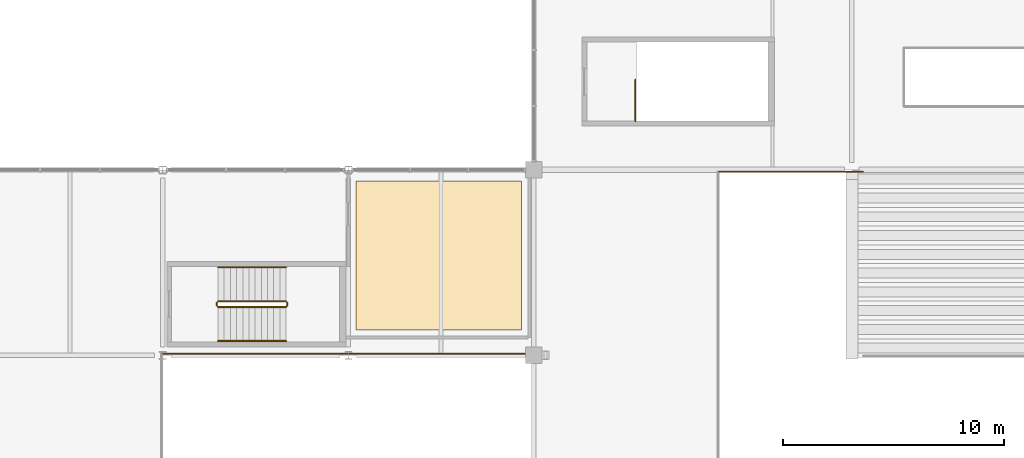
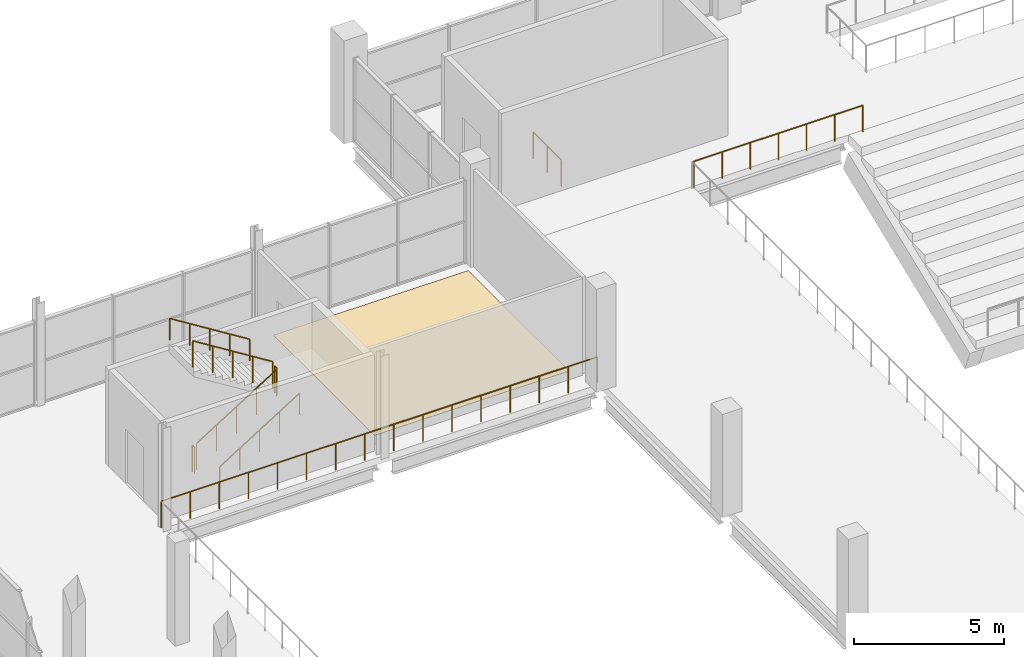
# One storey, part 153 of 161: 9 railings, 1 covering.
"""IFC4 building model written with IfcOpenShell, lengths in metres."""

from ifc_helpers import new_model, si_unit, direction, frame, origin, origin_2d, place, context, subcontext, project, spatial, polyline, circle, outline, extrude, material, layer, layer_set, type_object, element, save


model = new_model("IFC4")

# Units and contexts
model_context = context("Model", 3, precision=1e-05, world=origin(), true_north=direction((0.0, 1.0)))
body_context = subcontext(model_context, "Body", "Model", "MODEL_VIEW")
ifc_project = project(units=[si_unit("LENGTHUNIT", "METRE"), si_unit("AREAUNIT", "SQUARE_METRE"), si_unit("VOLUMEUNIT", "CUBIC_METRE"), si_unit("PLANEANGLEUNIT", "RADIAN"), si_unit("MASSUNIT", "GRAM", prefix="KILO"), si_unit("THERMODYNAMICTEMPERATUREUNIT", "KELVIN")], contexts=[model_context])

# Site, building, storey
site_placement = place(None, origin())
site = spatial("IfcSite", under=ifc_project, at=site_placement, CompositionType="ELEMENT")
building_placement = place(site_placement, origin())
building = spatial("IfcBuilding", under=site, at=building_placement, Name="Nduvali Passage Aquatics Centre", CompositionType="ELEMENT")
storey_placement = place(building_placement, frame((0.0, 0.0, 4.800048828125)))
storey = spatial("IfcBuildingStorey", under=building, at=storey_placement, Name="L01", CompositionType="ELEMENT", Elevation=4.800048828125)

# Covering
ifc_material_1 = material(Name="Resilient sports rubber flooring")
ifc_layer = layer(ifc_material_1, 0.02001953125, Name="Resilient sports rubber flooring")
ifc_layer_set = layer_set([ifc_layer], Name="Resilient sports rubber flooring")
covering_type = type_object("IfcCoveringType", Name="INT-COV-SPORT", PredefinedType="FLOORING", material=ifc_layer_set)
covering_placement = place(storey_placement, origin())
element("IfcCovering", 1, at=covering_placement, inside=storey, type_object=covering_type, Name="L01 Diving Dryland Conditioning Mezzanine Floor Finish", PredefinedType="FLOORING", context=body_context, shape_type="SweptSolid", body=[
    extrude(outline(polyline([(17.14990234375, 76.75), (24.64990234375, 76.75), (24.64990234375, 83.489990234375), (17.14990234375, 83.489990234375), (17.14990234375, 76.75)])), origin(), (0.0, 0.0, 1.0), 0.02001953125),
])

# Railings
ifc_material_2 = material(Name="Stainless steel balustrade", Category="steel")
railing_type_1 = type_object("IfcRailingType", Name="INT-RLG-GRD110", PredefinedType="GUARDRAIL", material=ifc_material_2)
railing_1_placement = place(storey_placement, frame((29.800048828125, 86.199951171875, 0.0)))
element("IfcRailing", 2, at=railing_1_placement, inside=storey, type_object=railing_type_1, Name="L01 ST10 top well guard 1", PredefinedType="GUARDRAIL", context=body_context, shape_type="SweptSolid", body=[
    extrude(circle(Radius=0.02392578125, at=origin_2d()), frame((0.0, 0.0, 1.076171875), z_axis=(0.0, 1.0, 0.0), x_axis=(-1.0, 0.0, 0.0)), (0.0, 0.0, 1.0), 1.8701171875),
    extrude(circle(Radius=0.02099609375, at=origin_2d()), origin(), (0.0, 0.0, 1.0), 1.052001953125),
    extrude(circle(Radius=0.02099609375, at=origin_2d()), frame((0.0, 0.93505859375, 0.0)), (0.0, 0.0, 1.0), 1.052001953125),
    extrude(circle(Radius=0.02099609375, at=origin_2d()), frame((0.0, 1.8701171875, 0.0)), (0.0, 0.0, 1.0), 1.052001953125),
])
railing_2_placement = place(storey_placement, frame((10.89990234375, 77.7900390625, 0.175048828125)))
element("IfcRailing", 3, at=railing_2_placement, inside=storey, type_object=railing_type_1, Name="L01 ST12 stair guard 1", PredefinedType="GUARDRAIL", context=body_context, shape_type="SweptSolid", body=[
    extrude(circle(Radius=0.02392578125, at=origin_2d()), frame((0.0, 0.0, 1.076171875), z_axis=(0.848028513186, 0.0, 0.529950602248), x_axis=(0.0, 1.0, 0.0)), (0.0, 0.0, 1.0), 3.632080078125),
    extrude(circle(Radius=0.02099609375, at=origin_2d()), origin(), (0.0, 0.0, 1.0), 1.052001953125),
    extrude(circle(Radius=0.02099609375, at=origin_2d()), frame((0.77001953125, 0.0, 0.481201171875)), (0.0, 0.0, 1.0), 1.052001953125),
    extrude(circle(Radius=0.02099609375, at=origin_2d()), frame((1.5400390625, 0.0, 0.96240234375)), (0.0, 0.0, 1.0), 1.052001953125),
    extrude(circle(Radius=0.02099609375, at=origin_2d()), frame((2.31005859375, 0.0, 1.443603515625)), (0.0, 0.0, 1.0), 1.052001953125),
    extrude(circle(Radius=0.02099609375, at=origin_2d()), frame((3.080078125, 0.0, 1.9248046875)), (0.0, 0.0, 1.0), 1.052001953125),
])
railing_3_placement = place(storey_placement, frame((14.030029296875, 77.840087890625, 2.099853515625)))
element("IfcRailing", 4, at=railing_3_placement, inside=storey, type_object=railing_type_1, Name="L01 ST12 stair guard 2", PredefinedType="GUARDRAIL", context=body_context, shape_type="SweptSolid", body=[
    extrude(circle(Radius=0.02392578125, at=origin_2d()), frame((0.0, 0.0, 1.076171875), z_axis=(0.0, 1.0, 0.0), x_axis=(-1.0, 0.0, 0.0)), (0.0, 0.0, 1.0), 0.14990234375),
    extrude(circle(Radius=0.02099609375, at=origin_2d()), origin(), (0.0, 0.0, 1.0), 1.052001953125),
    extrude(circle(Radius=0.02099609375, at=origin_2d()), frame((0.0, 0.14990234375, 0.0)), (0.0, 0.0, 1.0), 1.052001953125),
])
railing_4_placement = place(storey_placement, frame((13.97998046875, 78.0400390625, 2.27490234375)))
element("IfcRailing", 5, at=railing_4_placement, inside=storey, type_object=railing_type_1, Name="L01 ST12 stair guard 3", PredefinedType="GUARDRAIL", context=body_context, shape_type="SweptSolid", body=[
    extrude(circle(Radius=0.02392578125, at=origin_2d()), frame((0.0, 0.0, 1.076171875), z_axis=(-0.847998304005, 0.0, 0.529998940003), x_axis=(0.0, -1.0, 0.0)), (0.0, 0.0, 1.0), 3.632080078125),
    extrude(circle(Radius=0.02099609375, at=origin_2d()), origin(), (0.0, 0.0, 1.0), 1.052001953125),
    extrude(circle(Radius=0.02099609375, at=origin_2d()), frame((-0.77001953125, 0.0, 0.481201171875)), (0.0, 0.0, 1.0), 1.052001953125),
    extrude(circle(Radius=0.02099609375, at=origin_2d()), frame((-1.5400390625, 0.0, 0.96240234375)), (0.0, 0.0, 1.0), 1.052001953125),
    extrude(circle(Radius=0.02099609375, at=origin_2d()), frame((-2.31005859375, 0.0, 1.44384765625)), (0.0, 0.0, 1.0), 1.052001953125),
    extrude(circle(Radius=0.02099609375, at=origin_2d()), frame((-3.080078125, 0.0, 1.925048828125)), (0.0, 0.0, 1.0), 1.052001953125),
])
railing_5_placement = place(storey_placement, frame((10.85009765625, 77.840087890625, 0.0)))
element("IfcRailing", 6, at=railing_5_placement, inside=storey, type_object=railing_type_1, Name="L01 ST12 stair guard 4", PredefinedType="GUARDRAIL", context=body_context, shape_type="SweptSolid", body=[
    extrude(circle(Radius=0.02392578125, at=origin_2d()), frame((0.0, 0.0, 1.076171875), z_axis=(0.0, 1.0, 0.0), x_axis=(-1.0, 0.0, 0.0)), (0.0, 0.0, 1.0), 0.14990234375),
    extrude(circle(Radius=0.02099609375, at=origin_2d()), origin(), (0.0, 0.0, 1.0), 1.052001953125),
    extrude(circle(Radius=0.02099609375, at=origin_2d()), frame((0.0, 0.14990234375, 0.0)), (0.0, 0.0, 1.0), 1.052001953125),
])
railing_6_placement = place(storey_placement, frame((33.60009765625, 83.919921875, 0.0)))
element("IfcRailing", 7, at=railing_6_placement, inside=storey, type_object=railing_type_1, Name="L01 North Concourse West Void Guard", PredefinedType="GUARDRAIL", context=body_context, shape_type="SweptSolid", body=[
    extrude(circle(Radius=0.02392578125, at=origin_2d()), frame((0.0, 0.0, 1.076171875), z_axis=(1.0, 0.0, 0.0), x_axis=(0.0, 1.0, 0.0)), (0.0, 0.0, 1.0), 6.5),
    extrude(circle(Radius=0.02099609375, at=origin_2d()), origin(), (0.0, 0.0, 1.0), 1.052001953125),
    extrude(circle(Radius=0.02099609375, at=origin_2d()), frame((1.083251953125, 0.0, 0.0)), (0.0, 0.0, 1.0), 1.052001953125),
    extrude(circle(Radius=0.02099609375, at=origin_2d()), frame((2.166748046875, 0.0, 0.0)), (0.0, 0.0, 1.0), 1.052001953125),
    extrude(circle(Radius=0.02099609375, at=origin_2d()), frame((3.25, 0.0, 0.0)), (0.0, 0.0, 1.0), 1.052001953125),
    extrude(circle(Radius=0.02099609375, at=origin_2d()), frame((4.333251953125, 0.0, 0.0)), (0.0, 0.0, 1.0), 1.052001953125),
    extrude(circle(Radius=0.02099609375, at=origin_2d()), frame((5.416748046875, 0.0, 0.0)), (0.0, 0.0, 1.0), 1.052001953125),
    extrude(circle(Radius=0.02099609375, at=origin_2d()), frame((6.5, 0.0, 0.0)), (0.0, 0.0, 1.0), 1.052001953125),
])
railing_7_placement = place(storey_placement, frame((8.320068359375, 75.679931640625, 0.0)))
element("IfcRailing", 8, at=railing_7_placement, inside=storey, type_object=railing_type_1, Name="L01 Diving North Gallery Balustrade", PredefinedType="GUARDRAIL", context=body_context, shape_type="SweptSolid", body=[
    extrude(circle(Radius=0.02392578125, at=origin_2d()), frame((0.0, 0.0, 1.076171875), z_axis=(1.0, 0.0, 0.0), x_axis=(0.0, 1.0, 0.0)), (0.0, 0.0, 1.0), 16.800048828125),
    extrude(circle(Radius=0.02099609375, at=origin_2d()), origin(), (0.0, 0.0, 1.0), 1.052001953125),
    extrude(circle(Radius=0.02099609375, at=origin_2d()), frame((1.1201171875, 0.0, 0.0)), (0.0, 0.0, 1.0), 1.052001953125),
    extrude(circle(Radius=0.02099609375, at=origin_2d()), frame((2.239990234375, 0.0, 0.0)), (0.0, 0.0, 1.0), 1.052001953125),
    extrude(circle(Radius=0.02099609375, at=origin_2d()), frame((3.360107421875, 0.0, 0.0)), (0.0, 0.0, 1.0), 1.052001953125),
    extrude(circle(Radius=0.02099609375, at=origin_2d()), frame((4.47998046875, 0.0, 0.0)), (0.0, 0.0, 1.0), 1.052001953125),
    extrude(circle(Radius=0.02099609375, at=origin_2d()), frame((5.60009765625, 0.0, 0.0)), (0.0, 0.0, 1.0), 1.052001953125),
    extrude(circle(Radius=0.02099609375, at=origin_2d()), frame((6.719970703125, 0.0, 0.0)), (0.0, 0.0, 1.0), 1.052001953125),
    extrude(circle(Radius=0.02099609375, at=origin_2d()), frame((7.840087890625, 0.0, 0.0)), (0.0, 0.0, 1.0), 1.052001953125),
    extrude(circle(Radius=0.02099609375, at=origin_2d()), frame((8.9599609375, 0.0, 0.0)), (0.0, 0.0, 1.0), 1.052001953125),
    extrude(circle(Radius=0.02099609375, at=origin_2d()), frame((10.080078125, 0.0, 0.0)), (0.0, 0.0, 1.0), 1.052001953125),
    extrude(circle(Radius=0.02099609375, at=origin_2d()), frame((11.199951171875, 0.0, 0.0)), (0.0, 0.0, 1.0), 1.052001953125),
    extrude(circle(Radius=0.02099609375, at=origin_2d()), frame((12.320068359375, 0.0, 0.0)), (0.0, 0.0, 1.0), 1.052001953125),
    extrude(circle(Radius=0.02099609375, at=origin_2d()), frame((13.43994140625, 0.0, 0.0)), (0.0, 0.0, 1.0), 1.052001953125),
    extrude(circle(Radius=0.02099609375, at=origin_2d()), frame((14.56005859375, 0.0, 0.0)), (0.0, 0.0, 1.0), 1.052001953125),
    extrude(circle(Radius=0.02099609375, at=origin_2d()), frame((15.679931640625, 0.0, 0.0)), (0.0, 0.0, 1.0), 1.052001953125),
    extrude(circle(Radius=0.02099609375, at=origin_2d()), frame((16.800048828125, 0.0, 0.0)), (0.0, 0.0, 1.0), 1.052001953125),
])
railing_type_2 = type_object("IfcRailingType", Name="INT-RLG-HND90", PredefinedType="HANDRAIL", material=ifc_material_2)
railing_8_placement = place(storey_placement, frame((10.89990234375, 76.25, 0.353515625)))
element("IfcRailing", 9, at=railing_8_placement, inside=storey, type_object=railing_type_2, Name="L01 ST12 stair handrail 1", PredefinedType="HANDRAIL", context=body_context, shape_type="SweptSolid", body=[
    extrude(circle(Radius=0.02392578125, at=origin_2d()), frame((0.0, 0.0, 0.8759765625), z_axis=(0.847998304005, 0.0, 0.529998940003), x_axis=(0.0, 1.0, 0.0)), (0.0, 0.0, 1.0), 3.632080078125),
    extrude(circle(Radius=0.02099609375, at=origin_2d()), origin(), (0.0, 0.0, 1.0), 0.851806640625),
    extrude(circle(Radius=0.02099609375, at=origin_2d()), frame((0.77001953125, 0.0, 0.481201171875)), (0.0, 0.0, 1.0), 0.851806640625),
    extrude(circle(Radius=0.02099609375, at=origin_2d()), frame((1.5400390625, 0.0, 0.96240234375)), (0.0, 0.0, 1.0), 0.851806640625),
    extrude(circle(Radius=0.02099609375, at=origin_2d()), frame((2.31005859375, 0.0, 1.44384765625)), (0.0, 0.0, 1.0), 0.851806640625),
    extrude(circle(Radius=0.02099609375, at=origin_2d()), frame((3.080078125, 0.0, 1.925048828125)), (0.0, 0.0, 1.0), 0.851806640625),
])
railing_9_placement = place(storey_placement, frame((13.97998046875, 79.580078125, 2.45361328125)))
element("IfcRailing", 10, at=railing_9_placement, inside=storey, type_object=railing_type_2, Name="L01 ST12 stair handrail 2", PredefinedType="HANDRAIL", context=body_context, shape_type="SweptSolid", body=[
    extrude(circle(Radius=0.02392578125, at=origin_2d()), frame((0.0, 0.0, 0.8759765625), z_axis=(-0.847998304005, 0.0, 0.529998940003), x_axis=(0.0, -1.0, 0.0)), (0.0, 0.0, 1.0), 3.632080078125),
    extrude(circle(Radius=0.02099609375, at=origin_2d()), origin(), (0.0, 0.0, 1.0), 0.851806640625),
    extrude(circle(Radius=0.02099609375, at=origin_2d()), frame((-0.77001953125, 0.0, 0.481201171875)), (0.0, 0.0, 1.0), 0.851806640625),
    extrude(circle(Radius=0.02099609375, at=origin_2d()), frame((-1.5400390625, 0.0, 0.96240234375)), (0.0, 0.0, 1.0), 0.851806640625),
    extrude(circle(Radius=0.02099609375, at=origin_2d()), frame((-2.31005859375, 0.0, 1.44384765625)), (0.0, 0.0, 1.0), 0.851806640625),
    extrude(circle(Radius=0.02099609375, at=origin_2d()), frame((-3.080078125, 0.0, 1.925048828125)), (0.0, 0.0, 1.0), 0.851806640625),
])

save(model, "model.ifc")
